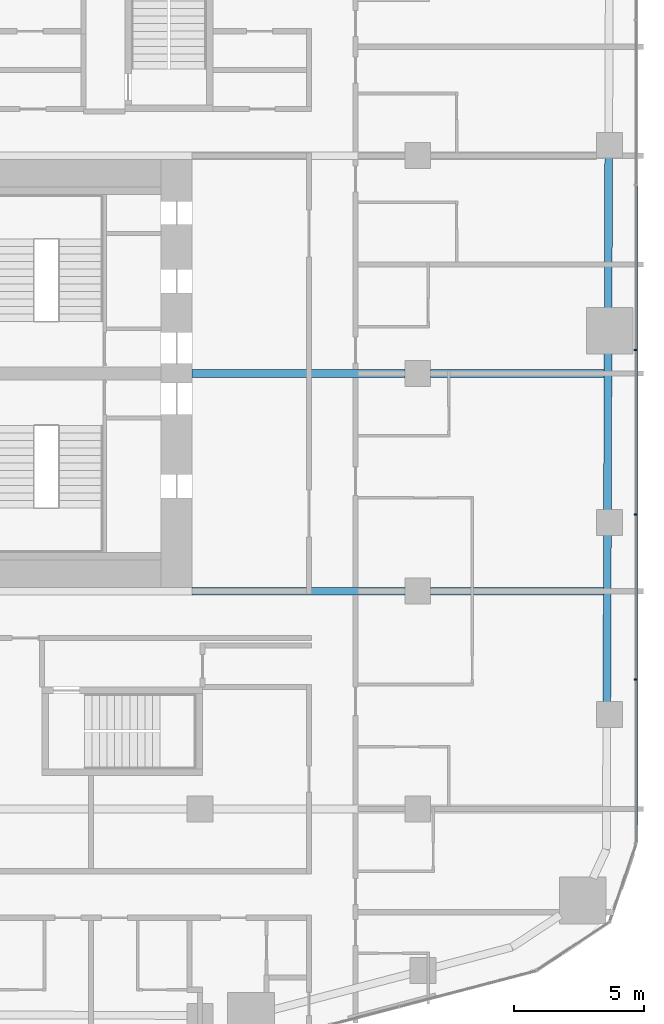
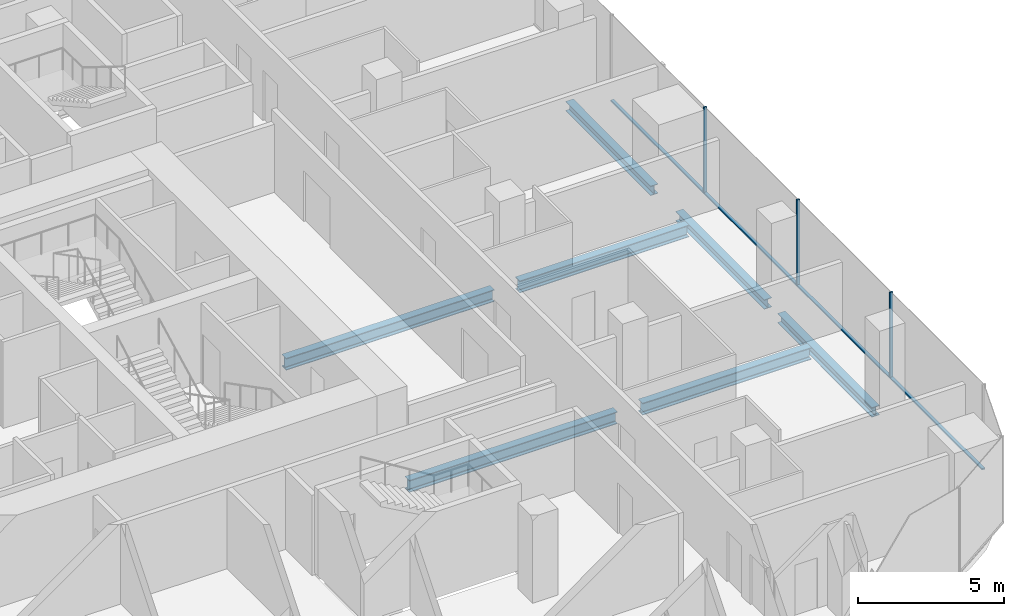
# One storey, part 7 of 26: 7 beams, 7 members, 1 element without a shape of its own.
"""IFC4 building model written with IfcOpenShell, lengths in metres."""

from ifc_helpers import new_model, si_unit, direction, frame, origin, origin_2d, place, context, subcontext, project, spatial, rectangle, i_section, extrude, material, layer, layer_set, material_profile, profile_set, type_object, element, aggregate, save


model = new_model("IFC4")

# Units and contexts
model_context = context("Model", 3, precision=1e-05, world=origin(), true_north=direction((0.0, 1.0)))
body_context = subcontext(model_context, "Body", "Model", "MODEL_VIEW")
ifc_project = project(units=[si_unit("LENGTHUNIT", "METRE"), si_unit("AREAUNIT", "SQUARE_METRE"), si_unit("VOLUMEUNIT", "CUBIC_METRE"), si_unit("PLANEANGLEUNIT", "RADIAN"), si_unit("MASSUNIT", "GRAM", prefix="KILO")], contexts=[model_context])

# Site, building, storey
site_placement = place(None, origin())
site = spatial("IfcSite", under=ifc_project, at=site_placement, CompositionType="ELEMENT")
building_placement = place(site_placement, origin())
building = spatial("IfcBuilding", under=site, at=building_placement, Name="Marenta Gate Hotel Tower", CompositionType="ELEMENT")
storey_placement = place(building_placement, frame((0.0, 0.0, 65.300048828125)))
storey = spatial("IfcBuildingStorey", under=building, at=storey_placement, Name="L14", CompositionType="ELEMENT", Elevation=65.300048828125)

# Beams
ifc_material_1 = material(Name="Steel S355", Category="steel")
ifc_material_profile_1 = material_profile(ifc_material_1, i_section(OverallWidth=0.300048828125, OverallDepth=0.39990234375, WebThickness=0.013427734375, FlangeThickness=0.02392578125, FilletRadius=0.027099609375, at=origin_2d()), Name="HEB 400")
ifc_profile_set_1 = profile_set([ifc_material_profile_1], Name="Steel S355")
beam_type_1 = type_object("IfcBeamType", Name="Edge beam HEB 400", PredefinedType="SPANDREL", material=ifc_profile_set_1)
beam_1_placement = place(storey_placement, frame((28.364013671875, 16.7431640625, -0.4599609375), z_axis=(-0.003306389661, -0.999994533879, 0.0), x_axis=(0.999994533879, -0.003306389661, 0.0)))
element("IfcBeam", 1, at=beam_1_placement, inside=storey, type_object=beam_type_1, Name="L14-EB-24", PredefinedType="SPANDREL", context=body_context, shape_type="SweptSolid", body=[
    extrude(i_section(OverallWidth=0.300048828125, OverallDepth=0.39990234375, WebThickness=0.013427734375, FlangeThickness=0.02392578125, FilletRadius=0.027099609375, at=origin_2d()), origin(), (0.0, 0.0, 1.0), 5.833251953125),
])
beam_2_placement = place(storey_placement, frame((28.3388671875, 9.18994140625, -0.4599609375), z_axis=(-0.003332378012, -0.999994447613, 0.0), x_axis=(0.999994447613, -0.003332378012, 0.0)))
element("IfcBeam", 2, at=beam_2_placement, inside=storey, type_object=beam_type_1, Name="L14-EB-25", PredefinedType="SPANDREL", context=body_context, shape_type="SweptSolid", body=[
    extrude(i_section(OverallWidth=0.300048828125, OverallDepth=0.39990234375, WebThickness=0.013427734375, FlangeThickness=0.02392578125, FilletRadius=0.027099609375, at=origin_2d()), origin(), (0.0, 0.0, 1.0), 6.080810546875),
])
beam_3_placement = place(storey_placement, frame((28.315673828125, 2.189208984375, -0.4599609375), z_axis=(-0.003352525703, -0.99999438027, 0.0), x_axis=(0.99999438027, -0.003352525703, 0.0)))
element("IfcBeam", 3, at=beam_3_placement, inside=storey, type_object=beam_type_1, Name="L14-EB-26", PredefinedType="SPANDREL", context=body_context, shape_type="SweptSolid", body=[
    extrude(i_section(OverallWidth=0.300048828125, OverallDepth=0.39990234375, WebThickness=0.013427734375, FlangeThickness=0.02392578125, FilletRadius=0.027099609375, at=origin_2d()), origin(), (0.0, 0.0, 1.0), 6.481201171875),
])
ifc_material_2 = material(Name="Steel S355", Category="steel")
ifc_material_profile_2 = material_profile(ifc_material_2, i_section(OverallWidth=0.300048828125, OverallDepth=0.5, WebThickness=0.014404296875, FlangeThickness=0.028076171875, FilletRadius=0.027099609375, at=origin_2d()), Name="HEB 500")
ifc_profile_set_2 = profile_set([ifc_material_profile_2], Name="Steel S355")
beam_type_2 = type_object("IfcBeamType", Name="Girder HEB 500", PredefinedType="BEAM", material=ifc_profile_set_2)
beam_4_placement = place(storey_placement, frame((12.300048828125, 0.0, -0.510009765625), z_axis=(1.0, 0.0, 0.0), x_axis=(0.0, 1.0, 0.0)))
element("IfcBeam", 4, at=beam_4_placement, inside=storey, type_object=beam_type_2, Name="L14-GD-11", PredefinedType="BEAM", context=body_context, shape_type="SweptSolid", body=[
    extrude(i_section(OverallWidth=0.300048828125, OverallDepth=0.5, WebThickness=0.014404296875, FlangeThickness=0.028076171875, FilletRadius=0.027099609375, at=origin_2d()), origin(), (0.0, 0.0, 1.0), 8.199951171875),
])
beam_5_placement = place(storey_placement, frame((21.5, 0.0, -0.510009765625), z_axis=(1.0, 0.0, 0.0), x_axis=(0.0, 1.0, 0.0)))
element("IfcBeam", 5, at=beam_5_placement, inside=storey, type_object=beam_type_2, Name="L14-GD-12", PredefinedType="BEAM", context=body_context, shape_type="SweptSolid", body=[
    extrude(i_section(OverallWidth=0.300048828125, OverallDepth=0.5, WebThickness=0.014404296875, FlangeThickness=0.028076171875, FilletRadius=0.027099609375, at=origin_2d()), origin(), (0.0, 0.0, 1.0), 6.658203125),
])
beam_6_placement = place(storey_placement, frame((12.300048828125, 8.39990234375, -0.510009765625), z_axis=(1.0, 0.0, 0.0), x_axis=(0.0, 1.0, 0.0)))
element("IfcBeam", 6, at=beam_6_placement, inside=storey, type_object=beam_type_2, Name="L14-GD-15", PredefinedType="BEAM", context=body_context, shape_type="SweptSolid", body=[
    extrude(i_section(OverallWidth=0.300048828125, OverallDepth=0.5, WebThickness=0.014404296875, FlangeThickness=0.028076171875, FilletRadius=0.027099609375, at=origin_2d()), origin(), (0.0, 0.0, 1.0), 8.199951171875),
])
beam_7_placement = place(storey_placement, frame((21.5, 8.39990234375, -0.510009765625), z_axis=(1.0, 0.0, 0.0), x_axis=(0.0, 1.0, 0.0)))
element("IfcBeam", 7, at=beam_7_placement, inside=storey, type_object=beam_type_2, Name="L14-GD-16", PredefinedType="BEAM", context=body_context, shape_type="SweptSolid", body=[
    extrude(i_section(OverallWidth=0.300048828125, OverallDepth=0.5, WebThickness=0.014404296875, FlangeThickness=0.028076171875, FilletRadius=0.027099609375, at=origin_2d()), origin(), (0.0, 0.0, 1.0), 6.686279296875),
])

# Curtain wall, members
ifc_material_3 = material(Name="Tinted insulated glass in bronze anodised frame", Category="glass")
ifc_layer = layer(ifc_material_3, 0.1201171875)
ifc_layer_set = layer_set([ifc_layer], Name="Tinted insulated glass in bronze anodised frame")
curtain_wall_type = type_object("IfcCurtainWallType", Name="Tower unitised curtain wall CW1", PredefinedType="NOTDEFINED", material=ifc_layer_set)
curtain_wall_placement = place(storey_placement, origin())
curtain_wall = element("IfcCurtainWall", 8, at=curtain_wall_placement, inside=storey, type_object=curtain_wall_type, Name="CW1 run G11", PredefinedType="NOTDEFINED")
ifc_material_4 = material(Name="Bronze anodised aluminium", Category="aluminium")
ifc_material_profile_3 = material_profile(ifc_material_4, rectangle(XDim=0.1201171875, YDim=0.06005859375, at=origin_2d()), Name="Mullion CW1 60x120 bronze anodised aluminium")
ifc_profile_set_3 = profile_set([ifc_material_profile_3], Name="Bronze anodised aluminium")
member_type_1 = type_object("IfcMemberType", Name="Mullion CW1 60x120 bronze anodised aluminium", PredefinedType="MULLION", material=ifc_profile_set_3)
member_1_placement = place(storey_placement, frame((29.4140625, -3.407958984375, 0.0), z_axis=(0.0, 0.0, 1.0), x_axis=(-1.0, 0.0, 0.0)))
member_1 = element("IfcMember", 9, at=member_1_placement, type_object=member_type_1, Name="CW1 mullion 2", PredefinedType="MULLION", context=body_context, shape_type="SweptSolid", body=[
    extrude(rectangle(XDim=0.1201171875, YDim=0.06005859375, at=origin_2d()), origin(), (0.0, 0.0, 1.0), 3.599853515625),
])
member_2_placement = place(storey_placement, frame((29.4140625, 2.951904296875, 0.0), z_axis=(0.0, 0.0, 1.0), x_axis=(-1.0, 0.0, 0.0)))
member_2 = element("IfcMember", 10, at=member_2_placement, type_object=member_type_1, Name="CW1 mullion 3", PredefinedType="MULLION", context=body_context, shape_type="SweptSolid", body=[
    extrude(rectangle(XDim=0.1201171875, YDim=0.06005859375, at=origin_2d()), origin(), (0.0, 0.0, 1.0), 3.599853515625),
])
member_3_placement = place(storey_placement, frame((29.4140625, 9.31201171875, 0.0), z_axis=(0.0, 0.0, 1.0), x_axis=(-1.0, 0.0, 0.0)))
member_3 = element("IfcMember", 11, at=member_3_placement, type_object=member_type_1, Name="CW1 mullion 4", PredefinedType="MULLION", context=body_context, shape_type="SweptSolid", body=[
    extrude(rectangle(XDim=0.1201171875, YDim=0.06005859375, at=origin_2d()), origin(), (0.0, 0.0, 1.0), 3.599853515625),
])
ifc_material_5 = material(Name="Bronze anodised aluminium", Category="aluminium")
ifc_material_profile_4 = material_profile(ifc_material_5, rectangle(XDim=0.1201171875, YDim=0.06005859375, at=origin_2d()), Name="Transom CW1 60x120 bronze anodised aluminium")
ifc_profile_set_4 = profile_set([ifc_material_profile_4], Name="Bronze anodised aluminium")
member_type_2 = type_object("IfcMemberType", Name="Transom CW1 60x120 bronze anodised aluminium", PredefinedType="USERDEFINED", material=ifc_profile_set_4)
member_4_placement = place(storey_placement, frame((29.4140625, -9.7080078125, 0.030029296875), z_axis=(0.0, 1.0, 0.0), x_axis=(-1.0, 0.0, 0.0)))
member_4 = element("IfcMember", 12, at=member_4_placement, type_object=member_type_2, Name="CW1 transom 1.1", ObjectType="TRANSOM", PredefinedType="USERDEFINED", context=body_context, shape_type="SweptSolid", body=[
    extrude(rectangle(XDim=0.1201171875, YDim=0.06005859375, at=origin_2d()), origin(), (0.0, 0.0, 1.0), 6.27001953125),
])
member_5_placement = place(storey_placement, frame((29.4140625, -3.3779296875, 0.030029296875), z_axis=(0.0, 1.0, 0.0), x_axis=(-1.0, 0.0, 0.0)))
member_5 = element("IfcMember", 13, at=member_5_placement, type_object=member_type_2, Name="CW1 transom 2.1", ObjectType="TRANSOM", PredefinedType="USERDEFINED", context=body_context, shape_type="SweptSolid", body=[
    extrude(rectangle(XDim=0.1201171875, YDim=0.06005859375, at=origin_2d()), origin(), (0.0, 0.0, 1.0), 6.2998046875),
])
member_6_placement = place(storey_placement, frame((29.4140625, 2.98193359375, 0.030029296875), z_axis=(0.0, 1.0, 0.0), x_axis=(-1.0, 0.0, 0.0)))
member_6 = element("IfcMember", 14, at=member_6_placement, type_object=member_type_2, Name="CW1 transom 3.1", ObjectType="TRANSOM", PredefinedType="USERDEFINED", context=body_context, shape_type="SweptSolid", body=[
    extrude(rectangle(XDim=0.1201171875, YDim=0.06005859375, at=origin_2d()), origin(), (0.0, 0.0, 1.0), 6.300048828125),
])
member_7_placement = place(storey_placement, frame((29.4140625, 9.342041015625, 0.030029296875), z_axis=(0.0, 1.0, 0.0), x_axis=(-1.0, 0.0, 0.0)))
member_7 = element("IfcMember", 15, at=member_7_placement, type_object=member_type_2, Name="CW1 transom 4.1", ObjectType="TRANSOM", PredefinedType="USERDEFINED", context=body_context, shape_type="SweptSolid", body=[
    extrude(rectangle(XDim=0.1201171875, YDim=0.06005859375, at=origin_2d()), origin(), (0.0, 0.0, 1.0), 6.2998046875),
])
aggregate(curtain_wall, [member_1, member_2, member_3, member_4, member_5, member_6, member_7])

save(model, "model.ifc")
